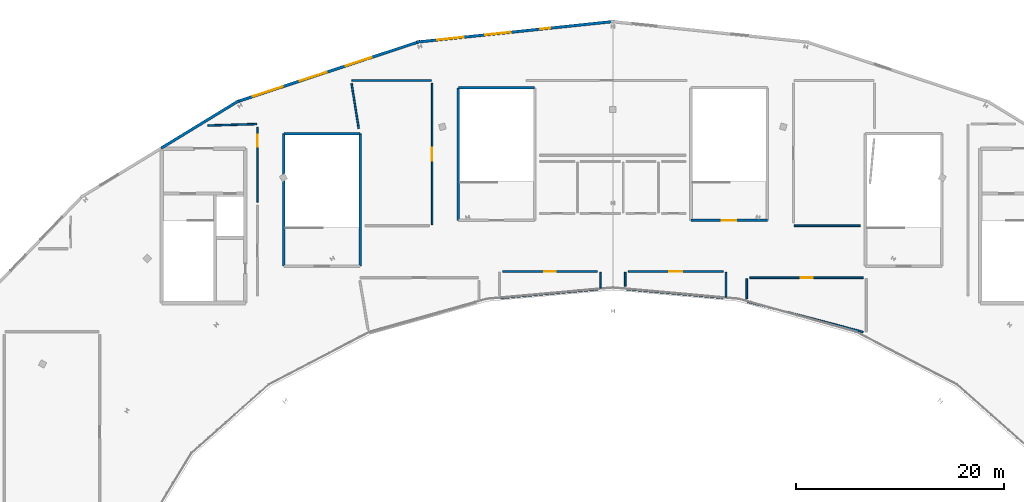
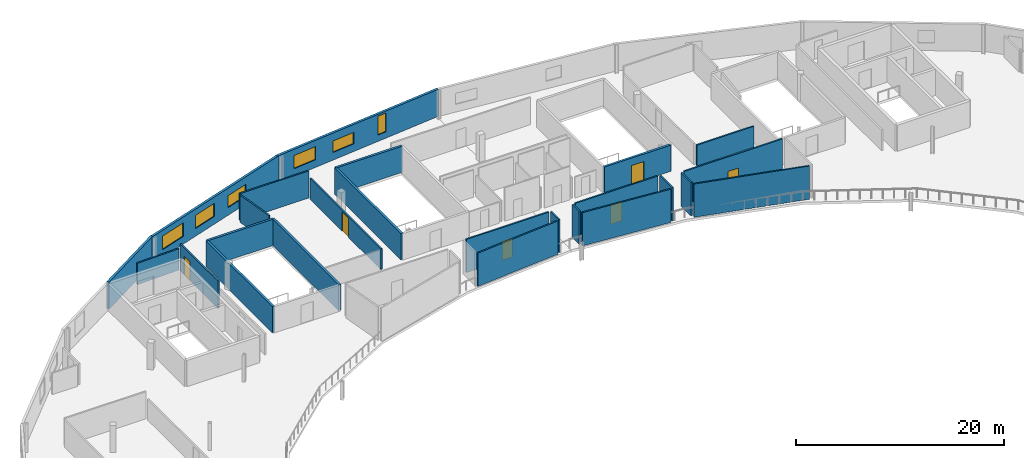
# One storey, part 30 of 35: 25 walls, 6 doors, 6 windows, 12 openings.
"""IFC4 building model written with IfcOpenShell, lengths in metres."""

from ifc_helpers import new_model, si_unit, direction, frame, frame_2d, origin, place, context, subcontext, project, spatial, rectangle, extrude, material, layer, layer_set, type_object, element, fill, save


model = new_model("IFC4")

# Units and contexts
model_context = context("Model", 3, precision=1e-05, world=origin(), true_north=direction((0.0, 1.0)))
body_context = subcontext(model_context, "Body", "Model", "MODEL_VIEW")
ifc_project = project(units=[si_unit("LENGTHUNIT", "METRE"), si_unit("AREAUNIT", "SQUARE_METRE"), si_unit("VOLUMEUNIT", "CUBIC_METRE"), si_unit("PLANEANGLEUNIT", "RADIAN"), si_unit("MASSUNIT", "GRAM", prefix="KILO")], contexts=[model_context])

# Site, building, storey
site_placement = place(None, origin())
site = spatial("IfcSite", under=ifc_project, at=site_placement, CompositionType="ELEMENT")
building_placement = place(site_placement, origin())
building = spatial("IfcBuilding", under=site, at=building_placement, Name="Kalgoora Escarpment Arena", CompositionType="ELEMENT")
storey_placement = place(building_placement, frame((0.0, 0.0, 23.39990234375)))
storey = spatial("IfcBuildingStorey", under=building, at=storey_placement, Name="L05", CompositionType="ELEMENT", Elevation=23.39990234375)

# Wall
ifc_material_1 = material(Name="Media ring insulated acoustic facade wall 40 MPa", Category="concrete")
ifc_layer_1 = layer(ifc_material_1, 0.264892578125)
ifc_layer_set_1 = layer_set([ifc_layer_1], Name="WAL-EXT-265")
wall_type_1 = type_object("IfcWallType", Name="WAL-EXT-265", PredefinedType="SOLIDWALL", material=ifc_layer_set_1)
wall_1_placement = place(storey_placement, frame((48.92529296875, 109.286865234375, 0.0), z_axis=(0.0, 0.0, 1.0), x_axis=(0.853522240257, 0.521056412864, 0.0)))
element("IfcWall", 1, at=wall_1_placement, inside=storey, type_object=wall_type_1, Name="L05 limestone-faced external wall 093", PredefinedType="SOLIDWALL", context=body_context, shape_type="SweptSolid", body=[
    extrude(rectangle(XDim=8.757568359375, YDim=0.264892578125, at=frame_2d((4.37890625, 0.0))), origin(), (0.0, 0.0, 1.0), 3.18017578125),
])

# Wall, openings, windows
wall_2_placement = place(storey_placement, frame((56.095458984375, 113.709228515625, 0.0), z_axis=(0.0, 0.0, 1.0), x_axis=(0.949760483421, 0.312977673536, 0.0)))
wall_2 = element("IfcWall", 2, at=wall_2_placement, inside=storey, type_object=wall_type_1, Name="L05 limestone-faced external wall 094", PredefinedType="SOLIDWALL", context=body_context, shape_type="SweptSolid", body=[
    extrude(rectangle(XDim=18.692626953125, YDim=0.264892578125, at=frame_2d((9.34619140625, 0.0))), origin(), (0.0, 0.0, 1.0), 3.18017578125),
])
opening_1_placement = place(wall_2_placement, frame((1.75, 0.0, 0.89990234375)))
opening_1 = element("IfcOpeningElement", 3, at=opening_1_placement, cuts=wall_2, Name="Opening W-10", PredefinedType="OPENING", context=body_context, shape_type="SweptSolid", body=[
    extrude(rectangle(XDim=3.0, YDim=1.60009765625, at=frame_2d((1.5, 0.800048828125))), frame((0.0, 0.142333984375, 0.0), z_axis=(0.0, -1.0, 0.0), x_axis=(1.0, 0.0, 0.0)), (0.0, 0.0, 1.0), 0.284912109375),
])
opening_2_placement = place(wall_2_placement, frame((6.5, 0.0, 0.89990234375)))
opening_2 = element("IfcOpeningElement", 4, at=opening_2_placement, cuts=wall_2, Name="Opening W-12", PredefinedType="OPENING", context=body_context, shape_type="SweptSolid", body=[
    extrude(rectangle(XDim=2.699951171875, YDim=1.550048828125, at=frame_2d((1.35009765625, 0.77490234375))), frame((0.0, 0.142333984375, 0.0), z_axis=(0.0, -1.0, 0.0), x_axis=(1.0, 0.0, 0.0)), (0.0, 0.0, 1.0), 0.284912109375),
])
opening_3_placement = place(wall_2_placement, frame((11.14990234375, 0.0, 0.89990234375)))
opening_3 = element("IfcOpeningElement", 5, at=opening_3_placement, cuts=wall_2, Name="Opening W-14", PredefinedType="OPENING", context=body_context, shape_type="SweptSolid", body=[
    extrude(rectangle(XDim=2.60009765625, YDim=1.39990234375, at=frame_2d((1.300048828125, 0.699951171875))), frame((0.0, 0.142333984375, 0.0), z_axis=(0.0, -1.0, 0.0), x_axis=(1.0, 0.0, 0.0)), (0.0, 0.0, 1.0), 0.284912109375),
])
ifc_material_2 = material(Name="Low-E solar-control double glazing in champagne frame", Category="glass")
window_type_1 = type_object("IfcWindowType", Name="WIN-BAND-2700x1550", PartitioningType="SINGLE_PANEL", PredefinedType="WINDOW", material=ifc_material_2)
window_1_placement = place(opening_2_placement, origin())
window_1 = element("IfcWindow", 6, at=window_1_placement, inside=storey, type_object=window_type_1, Name="L05 scheduled facade window 151", OverallHeight=1.550048828125, OverallWidth=2.699951171875, PartitioningType="SINGLE_PANEL", PredefinedType="WINDOW", context=body_context, shape_type="SweptSolid", body=[
    extrude(rectangle(XDim=2.699951171875, YDim=1.550048828125, at=frame_2d((1.35009765625, 0.77490234375))), frame((0.0, 0.030029296875, 0.0), z_axis=(0.0, -1.0, 0.0), x_axis=(1.0, 0.0, 0.0)), (0.0, 0.0, 1.0), 0.06005859375),
])
fill(opening_2, window_1)
ifc_material_3 = material(Name="Low-E solar-control double glazing in champagne frame", Category="glass")
window_type_2 = type_object("IfcWindowType", Name="WIN-BAND-3000x1600", PartitioningType="SINGLE_PANEL", PredefinedType="WINDOW", material=ifc_material_3)
window_2_placement = place(opening_1_placement, origin())
window_2 = element("IfcWindow", 7, at=window_2_placement, inside=storey, type_object=window_type_2, Name="L05 scheduled facade window 150", OverallHeight=1.60009765625, OverallWidth=3.0, PartitioningType="SINGLE_PANEL", PredefinedType="WINDOW", context=body_context, shape_type="SweptSolid", body=[
    extrude(rectangle(XDim=3.0, YDim=1.60009765625, at=frame_2d((1.5, 0.800048828125))), frame((0.0, 0.030029296875, 0.0), z_axis=(0.0, -1.0, 0.0), x_axis=(1.0, 0.0, 0.0)), (0.0, 0.0, 1.0), 0.06005859375),
])
fill(opening_1, window_2)
ifc_material_4 = material(Name="Low-E solar-control double glazing in champagne frame", Category="glass")
window_type_3 = type_object("IfcWindowType", Name="WIN-CLER-2600x1400", PartitioningType="SINGLE_PANEL", PredefinedType="WINDOW", material=ifc_material_4)
window_3_placement = place(opening_3_placement, origin())
window_3 = element("IfcWindow", 8, at=window_3_placement, inside=storey, type_object=window_type_3, Name="L05 scheduled facade window 152", OverallHeight=1.39990234375, OverallWidth=2.60009765625, PartitioningType="SINGLE_PANEL", PredefinedType="WINDOW", context=body_context, shape_type="SweptSolid", body=[
    extrude(rectangle(XDim=2.60009765625, YDim=1.39990234375, at=frame_2d((1.300048828125, 0.699951171875))), frame((0.0, 0.030029296875, 0.0), z_axis=(0.0, -1.0, 0.0), x_axis=(1.0, 0.0, 0.0)), (0.0, 0.0, 1.0), 0.06005859375),
])
fill(opening_3, window_3)

wall_3_placement = place(storey_placement, frame((73.5224609375, 119.489501953125, 0.0), z_axis=(0.0, 0.0, 1.0), x_axis=(0.994559811118, 0.104167087454, 0.0)))
wall_3 = element("IfcWall", 9, at=wall_3_placement, inside=storey, type_object=wall_type_1, Name="L05 limestone-faced external wall 095", PredefinedType="SOLIDWALL", context=body_context, shape_type="SweptSolid", body=[
    extrude(rectangle(XDim=19.1484375, YDim=0.264892578125, at=frame_2d((9.57421875, 0.0))), origin(), (0.0, 0.0, 1.0), 3.18017578125),
])
opening_4_placement = place(wall_3_placement, frame((1.97509765625, 0.0, 0.89990234375)))
opening_4 = element("IfcOpeningElement", 10, at=opening_4_placement, cuts=wall_3, Name="Opening W-13", PredefinedType="OPENING", context=body_context, shape_type="SweptSolid", body=[
    extrude(rectangle(XDim=2.550048828125, YDim=1.550048828125, at=frame_2d((1.27490234375, 0.77490234375))), frame((0.0, 0.142333984375, 0.0), z_axis=(0.0, -1.0, 0.0), x_axis=(1.0, 0.0, 0.0)), (0.0, 0.0, 1.0), 0.284912109375),
])
opening_5_placement = place(wall_3_placement, frame((6.625, 0.0, 0.89990234375)))
opening_5 = element("IfcOpeningElement", 11, at=opening_5_placement, cuts=wall_3, Name="Opening W-15", PredefinedType="OPENING", context=body_context, shape_type="SweptSolid", body=[
    extrude(rectangle(XDim=2.449951171875, YDim=1.35009765625, at=frame_2d((1.22509765625, 0.675048828125))), frame((0.0, 0.142333984375, 0.0), z_axis=(0.0, -1.0, 0.0), x_axis=(1.0, 0.0, 0.0)), (0.0, 0.0, 1.0), 0.284912109375),
])
opening_6_placement = place(wall_3_placement, frame((11.97509765625, 0.0, 0.75)))
opening_6 = element("IfcOpeningElement", 12, at=opening_6_placement, cuts=wall_3, Name="Opening W-17", PredefinedType="OPENING", context=body_context, shape_type="SweptSolid", body=[
    extrude(rectangle(XDim=0.949951171875, YDim=2.199951171875, at=frame_2d((0.47509765625, 1.10009765625))), frame((0.0, 0.142333984375, 0.0), z_axis=(0.0, -1.0, 0.0), x_axis=(1.0, 0.0, 0.0)), (0.0, 0.0, 1.0), 0.284912109375),
])
ifc_material_5 = material(Name="Low-E solar-control double glazing in champagne frame", Category="glass")
window_type_4 = type_object("IfcWindowType", Name="WIN-BAND-2550x1550", PartitioningType="SINGLE_PANEL", PredefinedType="WINDOW", material=ifc_material_5)
window_4_placement = place(opening_4_placement, origin())
window_4 = element("IfcWindow", 13, at=window_4_placement, inside=storey, type_object=window_type_4, Name="L05 scheduled facade window 153", OverallHeight=1.550048828125, OverallWidth=2.550048828125, PartitioningType="SINGLE_PANEL", PredefinedType="WINDOW", context=body_context, shape_type="SweptSolid", body=[
    extrude(rectangle(XDim=2.550048828125, YDim=1.550048828125, at=frame_2d((1.27490234375, 0.77490234375))), frame((0.0, 0.030029296875, 0.0), z_axis=(0.0, -1.0, 0.0), x_axis=(1.0, 0.0, 0.0)), (0.0, 0.0, 1.0), 0.06005859375),
])
fill(opening_4, window_4)
ifc_material_6 = material(Name="Low-E solar-control double glazing in champagne frame", Category="glass")
window_type_5 = type_object("IfcWindowType", Name="WIN-CLER-2450x1350", PartitioningType="SINGLE_PANEL", PredefinedType="WINDOW", material=ifc_material_6)
window_5_placement = place(opening_5_placement, origin())
window_5 = element("IfcWindow", 14, at=window_5_placement, inside=storey, type_object=window_type_5, Name="L05 scheduled facade window 154", OverallHeight=1.35009765625, OverallWidth=2.449951171875, PartitioningType="SINGLE_PANEL", PredefinedType="WINDOW", context=body_context, shape_type="SweptSolid", body=[
    extrude(rectangle(XDim=2.449951171875, YDim=1.35009765625, at=frame_2d((1.22509765625, 0.675048828125))), frame((0.0, 0.030029296875, 0.0), z_axis=(0.0, -1.0, 0.0), x_axis=(1.0, 0.0, 0.0)), (0.0, 0.0, 1.0), 0.06005859375),
])
fill(opening_5, window_5)
ifc_material_7 = material(Name="Low-E solar-control double glazing in champagne frame", Category="glass")
window_type_6 = type_object("IfcWindowType", Name="WIN-SLOT-0950x2200", PartitioningType="SINGLE_PANEL", PredefinedType="WINDOW", material=ifc_material_7)
window_6_placement = place(opening_6_placement, origin())
window_6 = element("IfcWindow", 15, at=window_6_placement, inside=storey, type_object=window_type_6, Name="L05 scheduled facade window 155", OverallHeight=2.199951171875, OverallWidth=0.949951171875, PartitioningType="SINGLE_PANEL", PredefinedType="WINDOW", context=body_context, shape_type="SweptSolid", body=[
    extrude(rectangle(XDim=0.949951171875, YDim=2.199951171875, at=frame_2d((0.47509765625, 1.10009765625))), frame((0.0, 0.030029296875, 0.0), z_axis=(0.0, -1.0, 0.0), x_axis=(1.0, 0.0, 0.0)), (0.0, 0.0, 1.0), 0.06005859375),
])
fill(opening_6, window_6)

# Wall
ifc_material_8 = material(Name="Broadcast acoustic double-stud partition", Category="gypsum")
ifc_layer_2 = layer(ifc_material_8, 0.1650390625)
ifc_layer_set_2 = layer_set([ifc_layer_2], Name="WAL-MED-165")
wall_type_2 = type_object("IfcWallType", Name="WAL-MED-165", PredefinedType="PARTITIONING", material=ifc_layer_set_2)
wall_4_placement = place(storey_placement, frame((67.280029296875, 115.800048828125, 0.0), z_axis=(0.0, 0.0, 1.0), x_axis=(1.0, 0.0, 0.0)))
element("IfcWall", 16, at=wall_4_placement, inside=storey, type_object=wall_type_2, Name="L05 Broadcast Studio partition wall", PredefinedType="PARTITIONING", context=body_context, shape_type="SweptSolid", body=[
    extrude(rectangle(XDim=7.639892578125, YDim=0.1650390625, at=frame_2d((3.81982421875, 0.0))), origin(), (0.0, 0.0, 1.0), 3.18017578125),
])

# Wall, opening, door
wall_5_placement = place(storey_placement, frame((75.0, 115.51513671875, 0.0), z_axis=(0.0, 0.0, 1.0), x_axis=(0.0, -1.0, 0.0)))
wall_5 = element("IfcWall", 17, at=wall_5_placement, inside=storey, type_object=wall_type_2, Name="L05 Broadcast Studio partition wall", PredefinedType="PARTITIONING", context=body_context, shape_type="SweptSolid", body=[
    extrude(rectangle(XDim=13.63525390625, YDim=0.1650390625, at=frame_2d((6.817626953125, 0.0))), origin(), (0.0, 0.0, 1.0), 2.445068359375),
])
opening_7_placement = place(wall_5_placement, frame((6.192626953125, 0.0, 0.0)))
opening_7 = element("IfcOpeningElement", 18, at=opening_7_placement, cuts=wall_5, Name="Opening FD-I149", PredefinedType="OPENING", context=body_context, shape_type="SweptSolid", body=[
    extrude(rectangle(XDim=1.25, YDim=2.25, at=frame_2d((0.625, 1.125))), frame((0.0, 0.092529296875, 0.0), z_axis=(0.0, -1.0, 0.0), x_axis=(1.0, 0.0, 0.0)), (0.0, 0.0, 1.0), 0.18505859375),
])
ifc_material_9 = material(Name="Acoustic seal broadcast studio leaf")
door_type_1 = type_object("IfcDoorType", Name="DR-MED-1250", OperationType="NOTDEFINED", PredefinedType="DOOR", material=ifc_material_9)
door_1_placement = place(opening_7_placement, origin())
door_1 = element("IfcDoor", 19, at=door_1_placement, inside=storey, type_object=door_type_1, Name="Broadcast Studio entrance door", OperationType="SINGLE_SWING_LEFT", OverallHeight=2.25, OverallWidth=1.25, PredefinedType="DOOR", context=body_context, shape_type="SweptSolid", body=[
    extrude(rectangle(XDim=1.25, YDim=2.25, at=frame_2d((0.625, 1.125))), frame((0.0, 0.02490234375, 0.0), z_axis=(0.0, -1.0, 0.0), x_axis=(1.0, 0.0, 0.0)), (0.0, 0.0, 1.0), 0.050048828125),
])
fill(opening_7, door_1)

# Walls
wall_6_placement = place(storey_placement, frame((67.93212890625, 111.174072265625, 0.0), z_axis=(0.0, 0.0, 1.0), x_axis=(-0.156305577001, 0.987708745835, 0.0)))
element("IfcWall", 20, at=wall_6_placement, inside=storey, type_object=wall_type_2, Name="L05 Broadcast Studio partition wall", PredefinedType="PARTITIONING", context=body_context, shape_type="SweptSolid", body=[
    extrude(rectangle(XDim=4.385986328125, YDim=0.1650390625, at=frame_2d((2.19287109375, 0.0))), origin(), (0.0, 0.0, 1.0), 3.18017578125),
])
wall_7_placement = place(storey_placement, frame((116.22509765625, 101.800048828125, 0.0), z_axis=(0.0, 0.0, 1.0), x_axis=(-1.0, 0.0, 0.0)))
element("IfcWall", 21, at=wall_7_placement, inside=storey, type_object=wall_type_2, Name="L05 Press Workroom partition wall", PredefinedType="PARTITIONING", context=body_context, shape_type="SweptSolid", body=[
    extrude(rectangle(XDim=6.34521484375, YDim=0.1650390625, at=frame_2d((3.172607421875, 0.0))), origin(), (0.0, 0.0, 1.0), 2.445068359375),
])
wall_8_placement = place(storey_placement, frame((53.41259765625, 111.45263671875, 0.0), z_axis=(0.0, 0.0, 1.0), x_axis=(0.99952742875, 0.030739537665, 0.0)))
element("IfcWall", 22, at=wall_8_placement, inside=storey, type_object=wall_type_2, Name="L05 West Media Editing Suite 2 partition wall", PredefinedType="PARTITIONING", context=body_context, shape_type="SweptSolid", body=[
    extrude(rectangle(XDim=4.709716796875, YDim=0.1650390625, at=frame_2d((2.35498046875, 0.0))), origin(), (0.0, 0.0, 1.0), 2.5),
])

# Wall, opening, door
wall_9_placement = place(storey_placement, frame((58.199951171875, 111.312744140625, 0.0), z_axis=(0.0, 0.0, 1.0), x_axis=(0.0, -1.0, 0.0)))
wall_9 = element("IfcWall", 23, at=wall_9_placement, inside=storey, type_object=wall_type_2, Name="L05 West Media Editing Suite 2 partition wall", PredefinedType="PARTITIONING", context=body_context, shape_type="SweptSolid", body=[
    extrude(rectangle(XDim=7.24267578125, YDim=0.1650390625, at=frame_2d((3.621337890625, 0.0))), origin(), (0.0, 0.0, 1.0), 3.18017578125),
])
opening_8_placement = place(wall_9_placement, frame((0.731201171875, 0.0, 0.0)))
opening_8 = element("IfcOpeningElement", 24, at=opening_8_placement, cuts=wall_9, Name="Opening FD-I154", PredefinedType="OPENING", context=body_context, shape_type="SweptSolid", body=[
    extrude(rectangle(XDim=1.14990234375, YDim=2.199951171875, at=frame_2d((0.574951171875, 1.10009765625))), frame((0.0, 0.092529296875, 0.0), z_axis=(0.0, -1.0, 0.0), x_axis=(1.0, 0.0, 0.0)), (0.0, 0.0, 1.0), 0.18505859375),
])
ifc_material_10 = material(Name="Acoustic seal commentary suite leaf")
door_type_2 = type_object("IfcDoorType", Name="DR-MED-1150", OperationType="NOTDEFINED", PredefinedType="DOOR", material=ifc_material_10)
door_2_placement = place(opening_8_placement, origin())
door_2 = element("IfcDoor", 25, at=door_2_placement, inside=storey, type_object=door_type_2, Name="West Media Editing Suite 2 entrance door", OperationType="SINGLE_SWING_RIGHT", OverallHeight=2.199951171875, OverallWidth=1.14990234375, PredefinedType="DOOR", context=body_context, shape_type="SweptSolid", body=[
    extrude(rectangle(XDim=1.14990234375, YDim=2.199951171875, at=frame_2d((0.574951171875, 1.10009765625))), frame((0.0, 0.02490234375, 0.0), z_axis=(0.0, -1.0, 0.0), x_axis=(1.0, 0.0, 0.0)), (0.0, 0.0, 1.0), 0.050048828125),
])
fill(opening_8, door_2)

# Walls
wall_10_placement = place(storey_placement, frame((91.199951171875, 97.320068359375, 0.0), z_axis=(0.0, 0.0, 1.0), x_axis=(0.0, -1.0, 0.0)))
element("IfcWall", 26, at=wall_10_placement, inside=storey, type_object=wall_type_2, Name="L05 Commentary Box 2 partition wall", PredefinedType="PARTITIONING", context=body_context, shape_type="SweptSolid", body=[
    extrude(rectangle(XDim=1.5263671875, YDim=0.1650390625, at=frame_2d((0.76318359375, 0.0))), origin(), (0.0, 0.0, 1.0), 3.900146484375),
])
wall_11_placement = place(storey_placement, frame((90.92333984375, 95.68896484375, 0.0), z_axis=(0.0, 0.0, 1.0), x_axis=(-0.996040339517, -0.088902429969, 0.0)))
element("IfcWall", 27, at=wall_11_placement, inside=storey, type_object=wall_type_2, Name="L05 Commentary Box 2 partition wall", PredefinedType="PARTITIONING", context=body_context, shape_type="SweptSolid", body=[
    extrude(rectangle(XDim=9.380859375, YDim=0.1650390625, at=frame_2d((4.6904296875, 0.0))), origin(), (0.0, 0.0, 1.0), 3.900146484375),
])

# Wall, opening, door
wall_12_placement = place(storey_placement, frame((81.784912109375, 97.39990234375, 0.0), z_axis=(0.0, 0.0, 1.0), x_axis=(1.0, 0.0, 0.0)))
wall_12 = element("IfcWall", 28, at=wall_12_placement, inside=storey, type_object=wall_type_2, Name="L05 Commentary Box 2 partition wall", PredefinedType="PARTITIONING", context=body_context, shape_type="SweptSolid", body=[
    extrude(rectangle(XDim=9.13037109375, YDim=0.1650390625, at=frame_2d((4.565185546875, 0.0))), origin(), (0.0, 0.0, 1.0), 3.900146484375),
])
opening_9_placement = place(wall_12_placement, frame((3.990234375, 0.0, 0.0)))
opening_9 = element("IfcOpeningElement", 29, at=opening_9_placement, cuts=wall_12, Name="Opening FD-I168", PredefinedType="OPENING", context=body_context, shape_type="SweptSolid", body=[
    extrude(rectangle(XDim=1.14990234375, YDim=2.199951171875, at=frame_2d((0.574951171875, 1.10009765625))), frame((0.0, 0.092529296875, 0.0), z_axis=(0.0, -1.0, 0.0), x_axis=(1.0, 0.0, 0.0)), (0.0, 0.0, 1.0), 0.18505859375),
])
door_3_placement = place(opening_9_placement, origin())
door_3 = element("IfcDoor", 30, at=door_3_placement, inside=storey, type_object=door_type_2, Name="Commentary Box 2 entrance door", OperationType="SINGLE_SWING_RIGHT", OverallHeight=2.199951171875, OverallWidth=1.14990234375, PredefinedType="DOOR", context=body_context, shape_type="SweptSolid", body=[
    extrude(rectangle(XDim=1.14990234375, YDim=2.199951171875, at=frame_2d((0.574951171875, 1.10009765625))), frame((0.0, 0.02490234375, 0.0), z_axis=(0.0, -1.0, 0.0), x_axis=(1.0, 0.0, 0.0)), (0.0, 0.0, 1.0), 0.050048828125),
])
fill(opening_9, door_3)

# Walls
wall_13_placement = place(storey_placement, frame((103.300048828125, 97.320068359375, 0.0), z_axis=(0.0, 0.0, 1.0), x_axis=(0.0, -1.0, 0.0)))
element("IfcWall", 31, at=wall_13_placement, inside=storey, type_object=wall_type_2, Name="L05 Commentary Box 3 partition wall", PredefinedType="PARTITIONING", context=body_context, shape_type="SweptSolid", body=[
    extrude(rectangle(XDim=2.392333984375, YDim=0.1650390625, at=frame_2d((1.1962890625, 0.0))), origin(), (0.0, 0.0, 1.0), 3.900146484375),
])
wall_14_placement = place(storey_placement, frame((103.009033203125, 94.873779296875, 0.0), z_axis=(0.0, 0.0, 1.0), x_axis=(-0.996039725317, 0.088909311047, 0.0)))
element("IfcWall", 32, at=wall_14_placement, inside=storey, type_object=wall_type_2, Name="L05 Commentary Box 3 partition wall", PredefinedType="PARTITIONING", context=body_context, shape_type="SweptSolid", body=[
    extrude(rectangle(XDim=9.366455078125, YDim=0.1650390625, at=frame_2d((4.68310546875, 0.0))), origin(), (0.0, 0.0, 1.0), 3.900146484375),
])
wall_15_placement = place(storey_placement, frame((93.60009765625, 95.991455078125, 0.0), z_axis=(0.0, 0.0, 1.0), x_axis=(0.0, 1.0, 0.0)))
element("IfcWall", 33, at=wall_15_placement, inside=storey, type_object=wall_type_2, Name="L05 Commentary Box 3 partition wall", PredefinedType="PARTITIONING", context=body_context, shape_type="SweptSolid", body=[
    extrude(rectangle(XDim=1.32861328125, YDim=0.1650390625, at=frame_2d((0.664306640625, 0.0))), origin(), (0.0, 0.0, 1.0), 3.900146484375),
])

# Wall, opening, door
wall_16_placement = place(storey_placement, frame((93.884765625, 97.39990234375, 0.0), z_axis=(0.0, 0.0, 1.0), x_axis=(1.0, 0.0, 0.0)))
wall_16 = element("IfcWall", 34, at=wall_16_placement, inside=storey, type_object=wall_type_2, Name="L05 Commentary Box 3 partition wall", PredefinedType="PARTITIONING", context=body_context, shape_type="SweptSolid", body=[
    extrude(rectangle(XDim=9.13037109375, YDim=0.1650390625, at=frame_2d((4.565185546875, 0.0))), origin(), (0.0, 0.0, 1.0), 3.900146484375),
])
opening_10_placement = place(wall_16_placement, frame((3.940185546875, 0.0, 0.0)))
opening_10 = element("IfcOpeningElement", 35, at=opening_10_placement, cuts=wall_16, Name="Opening FD-I169", PredefinedType="OPENING", context=body_context, shape_type="SweptSolid", body=[
    extrude(rectangle(XDim=1.25, YDim=2.25, at=frame_2d((0.625, 1.125))), frame((0.0, 0.092529296875, 0.0), z_axis=(0.0, -1.0, 0.0), x_axis=(1.0, 0.0, 0.0)), (0.0, 0.0, 1.0), 0.18505859375),
])
door_4_placement = place(opening_10_placement, origin())
door_4 = element("IfcDoor", 36, at=door_4_placement, inside=storey, type_object=door_type_1, Name="Commentary Box 3 entrance door", OperationType="SINGLE_SWING_LEFT", OverallHeight=2.25, OverallWidth=1.25, PredefinedType="DOOR", context=body_context, shape_type="SweptSolid", body=[
    extrude(rectangle(XDim=1.25, YDim=2.25, at=frame_2d((0.625, 1.125))), frame((0.0, 0.02490234375, 0.0), z_axis=(0.0, -1.0, 0.0), x_axis=(1.0, 0.0, 0.0)), (0.0, 0.0, 1.0), 0.050048828125),
])
fill(opening_10, door_4)

# Walls
wall_17_placement = place(storey_placement, frame((116.50390625, 91.57763671875, 0.0), z_axis=(0.0, 0.0, 1.0), x_axis=(-0.967283979081, 0.25369608553, 0.0)))
element("IfcWall", 37, at=wall_17_placement, inside=storey, type_object=wall_type_2, Name="L05 Commentary Box 4 partition wall", PredefinedType="PARTITIONING", context=body_context, shape_type="SweptSolid", body=[
    extrude(rectangle(XDim=11.502685546875, YDim=0.1650390625, at=frame_2d((5.75146484375, 0.0))), origin(), (0.0, 0.0, 1.0), 3.900146484375),
])
wall_18_placement = place(storey_placement, frame((105.300048828125, 94.781494140625, 0.0), z_axis=(0.0, 0.0, 1.0), x_axis=(0.0, 1.0, 0.0)))
element("IfcWall", 38, at=wall_18_placement, inside=storey, type_object=wall_type_2, Name="L05 Commentary Box 4 partition wall", PredefinedType="PARTITIONING", context=body_context, shape_type="SweptSolid", body=[
    extrude(rectangle(XDim=1.9384765625, YDim=0.1650390625, at=frame_2d((0.96923828125, 0.0))), origin(), (0.0, 0.0, 1.0), 3.900146484375),
])

# Wall, opening, door
wall_19_placement = place(storey_placement, frame((105.584716796875, 96.800048828125, 0.0), z_axis=(0.0, 0.0, 1.0), x_axis=(1.0, 0.0, 0.0)))
wall_19 = element("IfcWall", 39, at=wall_19_placement, inside=storey, type_object=wall_type_2, Name="L05 Commentary Box 4 partition wall", PredefinedType="PARTITIONING", context=body_context, shape_type="SweptSolid", body=[
    extrude(rectangle(XDim=10.930419921875, YDim=0.1650390625, at=frame_2d((5.46533203125, 0.0))), origin(), (0.0, 0.0, 1.0), 3.900146484375),
])
opening_11_placement = place(wall_19_placement, frame((4.89013671875, 0.0, 0.0)))
opening_11 = element("IfcOpeningElement", 40, at=opening_11_placement, cuts=wall_19, Name="Opening FD-I170", PredefinedType="OPENING", context=body_context, shape_type="SweptSolid", body=[
    extrude(rectangle(XDim=1.14990234375, YDim=2.199951171875, at=frame_2d((0.574951171875, 1.10009765625))), frame((0.0, 0.092529296875, 0.0), z_axis=(0.0, -1.0, 0.0), x_axis=(1.0, 0.0, 0.0)), (0.0, 0.0, 1.0), 0.18505859375),
])
door_5_placement = place(opening_11_placement, origin())
door_5 = element("IfcDoor", 41, at=door_5_placement, inside=storey, type_object=door_type_2, Name="Commentary Box 4 entrance door", OperationType="SINGLE_SWING_RIGHT", OverallHeight=2.199951171875, OverallWidth=1.14990234375, PredefinedType="DOOR", context=body_context, shape_type="SweptSolid", body=[
    extrude(rectangle(XDim=1.14990234375, YDim=2.199951171875, at=frame_2d((0.574951171875, 1.10009765625))), frame((0.0, 0.02490234375, 0.0), z_axis=(0.0, -1.0, 0.0), x_axis=(1.0, 0.0, 0.0)), (0.0, 0.0, 1.0), 0.050048828125),
])
fill(opening_11, door_5)

# Walls
ifc_material_11 = material(Name="Concrete N50 (fc' 50 MPa)", Category="concrete")
ifc_layer_3 = layer(ifc_material_11, 0.25)
ifc_layer_set_3 = layer_set([ifc_layer_3], Name="WAL-STAIR-250")
wall_type_3 = type_object("IfcWallType", Name="WAL-STAIR-250", PredefinedType="SHEAR", material=ifc_layer_set_3)
wall_20_placement = place(storey_placement, frame((60.72509765625, 110.675048828125, 0.0), z_axis=(0.0, 0.0, 1.0), x_axis=(1.0, 0.0, 0.0)))
element("IfcWall", 42, at=wall_20_placement, inside=storey, type_object=wall_type_3, Name="Exit stair ST09 L05 north wall", PredefinedType="SHEAR", context=body_context, shape_type="SweptSolid", body=[
    extrude(rectangle(XDim=7.349853515625, YDim=0.25, at=frame_2d((3.6748046875, 0.0))), origin(), (0.0, 0.0, 1.0), 3.080078125),
])
for number, where, z_axis, x_axis, name in (
    (43, (60.72509765625, 97.925048828125, 0.0), (0.0, 0.0, 1.0), (0.0, 1.0, 0.0), "Exit stair ST09 L05 west wall"),
    (44, (68.074951171875, 97.925048828125, 0.0), (0.0, 0.0, 1.0), (0.0, 1.0, 0.0), "Exit stair ST09 L05 east wall"),
):
    element("IfcWall", number, at=place(storey_placement, frame(where, z_axis=z_axis, x_axis=x_axis)), inside=storey, type_object=wall_type_3, Name=name, PredefinedType="SHEAR", context=body_context, shape_type="SweptSolid", body=[
        extrude(rectangle(XDim=12.75, YDim=0.25, at=frame_2d((6.375, 0.0))), origin(), (0.0, 0.0, 1.0), 3.080078125),
    ])
wall_21_placement = place(storey_placement, frame((77.52490234375, 115.074951171875, 0.0), z_axis=(0.0, 0.0, 1.0), x_axis=(1.0, 0.0, 0.0)))
element("IfcWall", 45, at=wall_21_placement, inside=storey, type_object=wall_type_3, Name="Exit stair ST10 L05 north wall", PredefinedType="SHEAR", context=body_context, shape_type="SweptSolid", body=[
    extrude(rectangle(XDim=7.35009765625, YDim=0.25, at=frame_2d((3.675048828125, 0.0))), origin(), (0.0, 0.0, 1.0), 3.080078125),
])
wall_22_placement = place(storey_placement, frame((77.52490234375, 102.324951171875, 0.0), z_axis=(0.0, 0.0, 1.0), x_axis=(0.0, 1.0, 0.0)))
element("IfcWall", 46, at=wall_22_placement, inside=storey, type_object=wall_type_3, Name="Exit stair ST10 L05 west wall", PredefinedType="SHEAR", context=body_context, shape_type="SweptSolid", body=[
    extrude(rectangle(XDim=12.75, YDim=0.25, at=frame_2d((6.375, 0.0))), origin(), (0.0, 0.0, 1.0), 3.080078125),
])

# Wall, opening, door
wall_23_placement = place(storey_placement, frame((99.925048828125, 102.324951171875, 0.0), z_axis=(0.0, 0.0, 1.0), x_axis=(1.0, 0.0, 0.0)))
wall_23 = element("IfcWall", 47, at=wall_23_placement, inside=storey, type_object=wall_type_3, Name="Exit stair ST11 L05 south wall", PredefinedType="SHEAR", context=body_context, shape_type="SweptSolid", body=[
    extrude(rectangle(XDim=7.349853515625, YDim=0.25, at=frame_2d((3.6748046875, 0.0))), origin(), (0.0, 0.0, 1.0), 3.080078125),
])
opening_12_placement = place(wall_23_placement, frame((2.97509765625, 0.0, 0.0)))
opening_12 = element("IfcOpeningElement", 48, at=opening_12_placement, cuts=wall_23, Name="Opening FD-ST11", PredefinedType="OPENING", context=body_context, shape_type="SweptSolid", body=[
    extrude(rectangle(XDim=1.39990234375, YDim=2.199951171875, at=frame_2d((0.699951171875, 1.10009765625))), frame((0.0, 0.135009765625, 0.0), z_axis=(0.0, -1.0, 0.0), x_axis=(1.0, 0.0, 0.0)), (0.0, 0.0, 1.0), 0.27001953125),
])
ifc_material_12 = material(Name="Fire-rated steel stair leaf with vision panel", Category="steel")
door_type_3 = type_object("IfcDoorType", Name="DR-STAIR-1400", OperationType="NOTDEFINED", PredefinedType="DOOR", material=ifc_material_12)
door_6_placement = place(opening_12_placement, origin())
door_6 = element("IfcDoor", 49, at=door_6_placement, inside=storey, type_object=door_type_3, Name="Fire-isolated stair ST11 L05 egress door", OperationType="SINGLE_SWING_RIGHT", OverallHeight=2.199951171875, OverallWidth=1.39990234375, PredefinedType="DOOR", context=body_context, shape_type="SweptSolid", body=[
    extrude(rectangle(XDim=1.39990234375, YDim=2.199951171875, at=frame_2d((0.699951171875, 1.10009765625))), frame((0.0, 0.02490234375, 0.0), z_axis=(0.0, -1.0, 0.0), x_axis=(1.0, 0.0, 0.0)), (0.0, 0.0, 1.0), 0.050048828125),
])
fill(opening_12, door_6)

save(model, "model.ifc")
